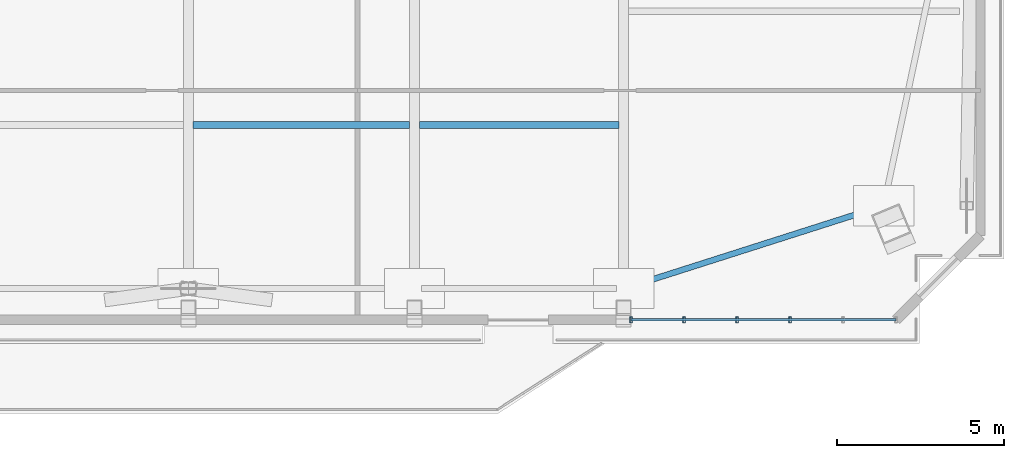
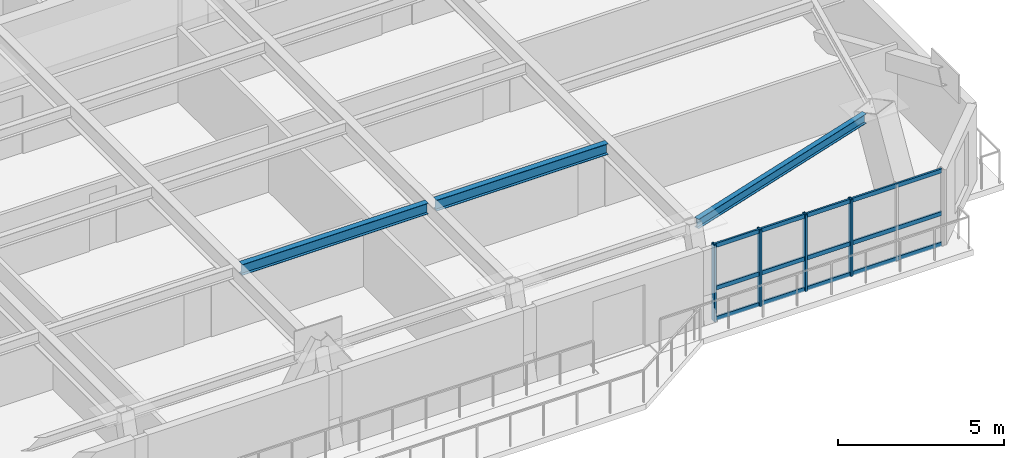
# One storey, part 4 of 15: 7 members, 3 beams, 1 element without a shape of its own.
"""IFC4 building model written with IfcOpenShell, lengths in metres."""

from ifc_helpers import new_model, si_unit, direction, frame, origin, origin_2d, place, context, subcontext, project, spatial, hollow_rectangle, i_section, extrude, source, transform, mapped, material, layer, layer_set, material_profile, profile_set, type_object, element, aggregate, save


model = new_model("IFC4")

# Units and contexts
model_context = context("Model", 3, precision=1e-05, world=origin(), true_north=direction((0.0, 1.0)))
body_context = subcontext(model_context, "Body", "Model", "MODEL_VIEW")
ifc_project = project(units=[si_unit("LENGTHUNIT", "METRE"), si_unit("AREAUNIT", "SQUARE_METRE"), si_unit("VOLUMEUNIT", "CUBIC_METRE"), si_unit("PLANEANGLEUNIT", "RADIAN"), si_unit("MASSUNIT", "GRAM", prefix="KILO")], contexts=[model_context])

# Site, building, storey
site_placement = place(None, origin())
site = spatial("IfcSite", under=ifc_project, at=site_placement, CompositionType="ELEMENT")
building_placement = place(site_placement, origin())
building = spatial("IfcBuilding", under=site, at=building_placement, Name="Giltprow Tower", CompositionType="ELEMENT")
storey_placement = place(building_placement, frame((0.0, 0.0, 275.699951171875)))
storey = spatial("IfcBuildingStorey", under=building, at=storey_placement, Name="L71", CompositionType="ELEMENT", Elevation=275.699951171875)

# Beams
ifc_material_1 = material(Name="Structural steel Q355B", Category="steel")
ifc_material_profile_1 = material_profile(ifc_material_1, i_section(OverallWidth=0.199951171875, OverallDepth=0.39990234375, WebThickness=0.008056640625, FlangeThickness=0.012939453125, at=origin_2d()), Name="HN 400x200x8x13")
ifc_profile_set_1 = profile_set([ifc_material_profile_1], Name="Structural steel Q355B")
beam_type_1 = type_object("IfcBeamType", Name="BM-JOIST-HN400", PredefinedType="JOIST", material=ifc_profile_set_1)
shared_shape_1 = source(origin(), body_context, "Body", "SweptSolid", [
    extrude(i_section(OverallWidth=0.199951171875, OverallDepth=0.39990234375, WebThickness=0.008056640625, FlangeThickness=0.012939453125, at=origin_2d()), origin(), (0.0, 0.0, 1.0), 6.4599609375),
])
beam_1_placement = place(storey_placement, frame((37.695068359375, 22.7939453125, 2.93994140625), z_axis=(1.0, 0.0, 0.0), x_axis=(0.0, 1.0, 0.0)))
element("IfcBeam", 1, at=beam_1_placement, inside=storey, type_object=beam_type_1, Name="L71 Composite Floor Joist 1-3", PredefinedType="JOIST", context=body_context, shape_type="MappedRepresentation", body=[
    mapped(shared_shape_1, transform((0.0, 0.0, 0.0), x_axis=(1.0, 0.0, 0.0), y_axis=(0.0, 1.0, 0.0), z_axis=(0.0, 0.0, 1.0), scale=1.0)),
])
shared_shape_2 = source(origin(), body_context, "Body", "SweptSolid", [
    extrude(i_section(OverallWidth=0.199951171875, OverallDepth=0.39990234375, WebThickness=0.008056640625, FlangeThickness=0.012939453125, at=origin_2d()), origin(), (0.0, 0.0, 1.0), 5.9599609375),
])
beam_2_placement = place(storey_placement, frame((44.445068359375, 22.7939453125, 2.93994140625), z_axis=(1.0, 0.0, 0.0), x_axis=(0.0, 1.0, 0.0)))
element("IfcBeam", 2, at=beam_2_placement, inside=storey, type_object=beam_type_1, Name="L71 Composite Floor Joist 1-4", PredefinedType="JOIST", context=body_context, shape_type="MappedRepresentation", body=[
    mapped(shared_shape_2, transform((0.0, 0.0, 0.0), x_axis=(1.0, 0.0, 0.0), y_axis=(0.0, 1.0, 0.0), z_axis=(0.0, 0.0, 1.0), scale=1.0)),
])
ifc_material_profile_2 = material_profile(ifc_material_1, i_section(OverallWidth=0.175048828125, OverallDepth=0.35009765625, WebThickness=0.007080078125, FlangeThickness=0.010986328125, at=origin_2d()), Name="HN 350x175x7x11")
ifc_profile_set_2 = profile_set([ifc_material_profile_2], Name="Structural steel Q355B")
beam_type_2 = type_object("IfcBeamType", Name="BM-SPAN-HN350", PredefinedType="SPANDREL", material=ifc_profile_set_2)
shared_shape_3 = source(origin(), body_context, "Body", "SweptSolid", [
    extrude(i_section(OverallWidth=0.175048828125, OverallDepth=0.35009765625, WebThickness=0.007080078125, FlangeThickness=0.010986328125, at=origin_2d()), origin(), (0.0, 0.0, 1.0), 7.5048828125),
])
beam_3_placement = place(storey_placement, frame((50.75, 17.971923828125, 2.965087890625), z_axis=(0.952693085845, 0.303934012875, 0.0), x_axis=(-0.303934012875, 0.952693085845, 0.0)))
element("IfcBeam", 3, at=beam_3_placement, inside=storey, type_object=beam_type_2, Name="L71 Perimeter Spandrel Beam S4-MC_SE", PredefinedType="SPANDREL", context=body_context, shape_type="MappedRepresentation", body=[
    mapped(shared_shape_3, transform((0.0, 0.0, 0.0), x_axis=(1.0, 0.0, 0.0), y_axis=(0.0, 1.0, 0.0), z_axis=(0.0, 0.0, 1.0), scale=1.0)),
])

# Curtain wall, members
ifc_material_2 = material(Name="Anodized bronze", Category="metal")
ifc_layer = layer(ifc_material_2, 0.179931640625, Name="Anodized bronze")
ifc_layer_set = layer_set([ifc_layer], Name="Anodized bronze")
curtain_wall_type = type_object("IfcCurtainWallType", Name="CW-RES-SKY", PredefinedType="NOTDEFINED", material=ifc_layer_set)
curtain_wall_placement = place(storey_placement, origin())
curtain_wall = element("IfcCurtainWall", 4, at=curtain_wall_placement, inside=storey, type_object=curtain_wall_type, Name="L71 South Recessed Curtain Wall 6", PredefinedType="NOTDEFINED")
ifc_material_profile_3 = material_profile(ifc_material_2, hollow_rectangle(XDim=0.06494140625, YDim=0.14990234375, WallThickness=0.006103515625, at=origin_2d()), Name="RHS 150x65x6")
ifc_profile_set_3 = profile_set([ifc_material_profile_3], Name="Anodized bronze")
member_type_1 = type_object("IfcMemberType", Name="CW-TRANSOM-150x65", PredefinedType="USERDEFINED", material=ifc_profile_set_3)
shared_shape_4 = source(origin(), body_context, "Body", "SweptSolid", [
    extrude(hollow_rectangle(XDim=0.06494140625, YDim=0.14990234375, WallThickness=0.006103515625, at=origin_2d()), origin(), (0.0, 0.0, 1.0), 7.9091796875),
])
member_1_placement = place(storey_placement, frame((50.77490234375, 16.97607421875, 0.0400390625), z_axis=(1.0, 0.0, 0.0), x_axis=(0.0, 1.0, 0.0)))
member_1 = element("IfcMember", 5, at=member_1_placement, type_object=member_type_1, Name="L71 South Recessed Curtain Wall 6 Transom 1", ObjectType="TRANSOM", PredefinedType="USERDEFINED", context=body_context, shape_type="MappedRepresentation", body=[
    mapped(shared_shape_4, transform((0.0, 0.0, 0.0), x_axis=(1.0, 0.0, 0.0), y_axis=(0.0, 1.0, 0.0), z_axis=(0.0, 0.0, 1.0), scale=1.0)),
])
member_2_placement = place(storey_placement, frame((50.77490234375, 16.97607421875, 1.1630859375), z_axis=(1.0, 0.0, 0.0), x_axis=(0.0, 1.0, 0.0)))
member_2 = element("IfcMember", 6, at=member_2_placement, type_object=member_type_1, Name="L71 South Recessed Curtain Wall 6 Transom 2", ObjectType="TRANSOM", PredefinedType="USERDEFINED", context=body_context, shape_type="MappedRepresentation", body=[
    mapped(shared_shape_4, transform((0.0, 0.0, 0.0), x_axis=(1.0, 0.0, 0.0), y_axis=(0.0, 1.0, 0.0), z_axis=(0.0, 0.0, 1.0), scale=1.0)),
])
member_3_placement = place(storey_placement, frame((50.77490234375, 16.97607421875, 2.72998046875), z_axis=(1.0, 0.0, 0.0), x_axis=(0.0, 1.0, 0.0)))
member_3 = element("IfcMember", 7, at=member_3_placement, type_object=member_type_1, Name="L71 South Recessed Curtain Wall 6 Transom 3", ObjectType="TRANSOM", PredefinedType="USERDEFINED", context=body_context, shape_type="MappedRepresentation", body=[
    mapped(shared_shape_4, transform((0.0, 0.0, 0.0), x_axis=(1.0, 0.0, 0.0), y_axis=(0.0, 1.0, 0.0), z_axis=(0.0, 0.0, 1.0), scale=1.0)),
])
ifc_material_profile_4 = material_profile(ifc_material_2, hollow_rectangle(XDim=0.074951171875, YDim=0.179931640625, WallThickness=0.008056640625, at=origin_2d()), Name="RHS 180x75x8")
ifc_profile_set_4 = profile_set([ifc_material_profile_4], Name="Anodized bronze")
member_type_2 = type_object("IfcMemberType", Name="CW-MULLION-180x75", PredefinedType="MULLION", material=ifc_profile_set_4)
shared_shape_5 = source(origin(), body_context, "Body", "SweptSolid", [
    extrude(hollow_rectangle(XDim=0.074951171875, YDim=0.179931640625, WallThickness=0.008056640625, at=origin_2d()), origin(), (0.0, 0.0, 1.0), 2.824951171875),
])
member_4_placement = place(storey_placement, frame((50.77490234375, 16.97607421875, -0.02001953125), z_axis=(0.0, 0.0, 1.0), x_axis=(1.0, 0.0, 0.0)))
member_4 = element("IfcMember", 8, at=member_4_placement, type_object=member_type_2, Name="L71 South Recessed Curtain Wall 6 Mullion 1", PredefinedType="MULLION", context=body_context, shape_type="MappedRepresentation", body=[
    mapped(shared_shape_5, transform((0.0, 0.0, 0.0), x_axis=(1.0, 0.0, 0.0), y_axis=(0.0, 1.0, 0.0), z_axis=(0.0, 0.0, 1.0), scale=1.0)),
])
member_5_placement = place(storey_placement, frame((52.35693359375, 16.97607421875, -0.02001953125), z_axis=(0.0, 0.0, 1.0), x_axis=(1.0, 0.0, 0.0)))
member_5 = element("IfcMember", 9, at=member_5_placement, type_object=member_type_2, Name="L71 South Recessed Curtain Wall 6 Mullion 2", PredefinedType="MULLION", context=body_context, shape_type="MappedRepresentation", body=[
    mapped(shared_shape_5, transform((0.0, 0.0, 0.0), x_axis=(1.0, 0.0, 0.0), y_axis=(0.0, 1.0, 0.0), z_axis=(0.0, 0.0, 1.0), scale=1.0)),
])
member_6_placement = place(storey_placement, frame((53.93896484375, 16.97607421875, -0.02001953125), z_axis=(0.0, 0.0, 1.0), x_axis=(1.0, 0.0, 0.0)))
member_6 = element("IfcMember", 10, at=member_6_placement, type_object=member_type_2, Name="L71 South Recessed Curtain Wall 6 Mullion 3", PredefinedType="MULLION", context=body_context, shape_type="MappedRepresentation", body=[
    mapped(shared_shape_5, transform((0.0, 0.0, 0.0), x_axis=(1.0, 0.0, 0.0), y_axis=(0.0, 1.0, 0.0), z_axis=(0.0, 0.0, 1.0), scale=1.0)),
])
member_7_placement = place(storey_placement, frame((55.52001953125, 16.97607421875, -0.02001953125), z_axis=(0.0, 0.0, 1.0), x_axis=(1.0, 0.0, 0.0)))
member_7 = element("IfcMember", 11, at=member_7_placement, type_object=member_type_2, Name="L71 South Recessed Curtain Wall 6 Mullion 4", PredefinedType="MULLION", context=body_context, shape_type="MappedRepresentation", body=[
    mapped(shared_shape_5, transform((0.0, 0.0, 0.0), x_axis=(1.0, 0.0, 0.0), y_axis=(0.0, 1.0, 0.0), z_axis=(0.0, 0.0, 1.0), scale=1.0)),
])
aggregate(curtain_wall, [member_4, member_5, member_6, member_7, member_1, member_2, member_3])

save(model, "model.ifc")
